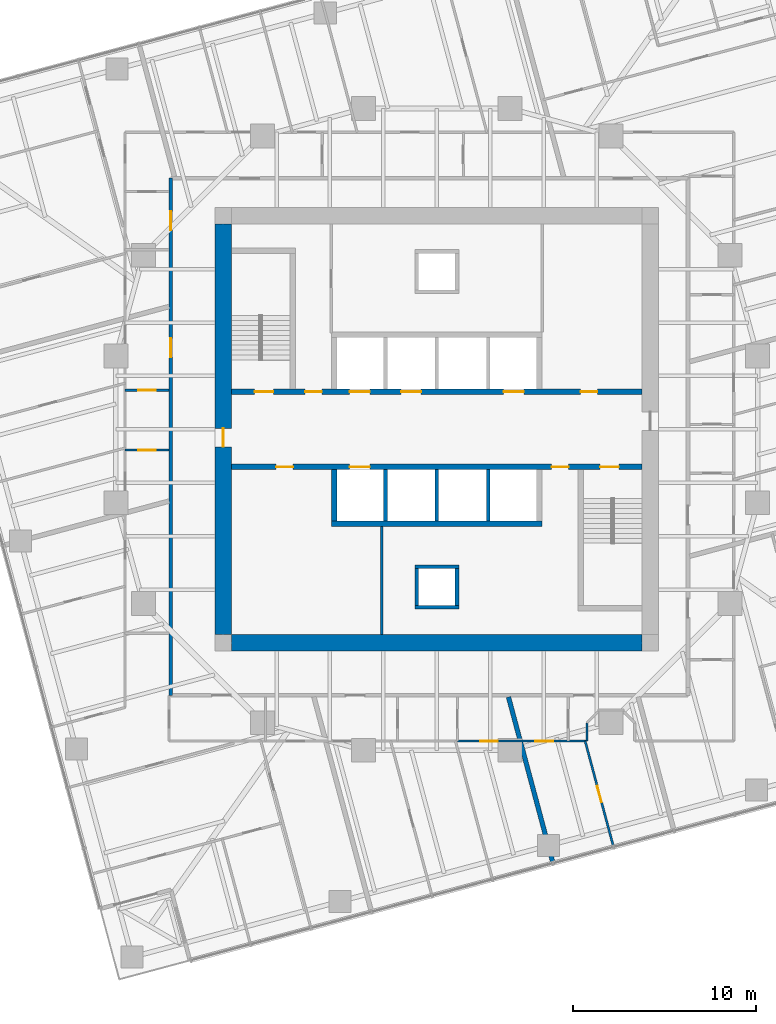
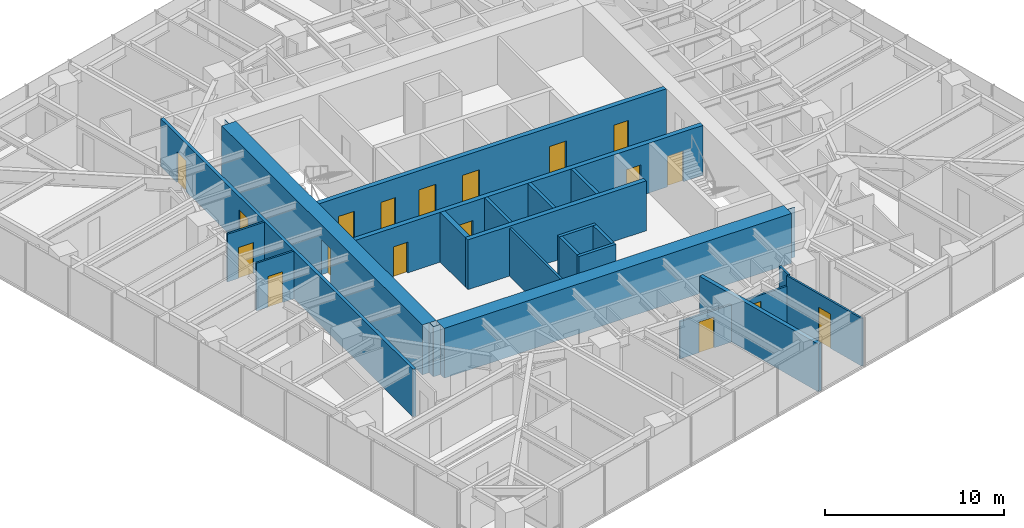
# One storey, part 9 of 14: 21 walls, 18 doors, 18 openings.
"""IFC4 building model written with IfcOpenShell, lengths in metres."""

from ifc_helpers import new_model, si_unit, direction, frame, frame_2d, origin, place, context, subcontext, project, spatial, polyline, rectangle, outline, extrude, material, layer, layer_set, type_object, element, fill, save


model = new_model("IFC4")

# Units and contexts
model_context = context("Model", 3, precision=1e-05, world=origin(), true_north=direction((0.0, 1.0)))
body_context = subcontext(model_context, "Body", "Model", "MODEL_VIEW")
ifc_project = project(units=[si_unit("LENGTHUNIT", "METRE"), si_unit("AREAUNIT", "SQUARE_METRE"), si_unit("VOLUMEUNIT", "CUBIC_METRE"), si_unit("PLANEANGLEUNIT", "RADIAN"), si_unit("MASSUNIT", "GRAM", prefix="KILO")], contexts=[model_context])

# Site, building, storey
site_placement = place(None, origin())
site = spatial("IfcSite", under=ifc_project, at=site_placement, CompositionType="ELEMENT")
building_placement = place(site_placement, origin())
building = spatial("IfcBuilding", under=site, at=building_placement, Name="Torsade Residences", CompositionType="ELEMENT")
storey_placement = place(building_placement, frame((0.0, 0.0, 121.800048828125)))
storey = spatial("IfcBuildingStorey", under=building, at=storey_placement, Name="L33", CompositionType="ELEMENT", Elevation=121.800048828125)

# Wall, openings, doors
ifc_material_1 = material(Name="Concrete 80 MPa", Category="concrete")
ifc_layer_1 = layer(ifc_material_1, 0.300048828125)
ifc_layer_set_1 = layer_set([ifc_layer_1], Name="Concrete 80 MPa")
wall_type_1 = type_object("IfcWallType", Name="CORE INTERNAL WALL 300", PredefinedType="SHEAR", material=ifc_layer_set_1)
wall_1_placement = place(storey_placement, frame((28.800048828125, 32.050048828125, 0.0), z_axis=(0.0, 0.0, 1.0), x_axis=(1.0, 0.0, 0.0)))
wall_1 = element("IfcWall", 1, at=wall_1_placement, inside=storey, type_object=wall_type_1, Name="Core wall LN L33", PredefinedType="SHEAR", context=body_context, shape_type="SweptSolid", body=[
    extrude(rectangle(XDim=22.39990234375, YDim=0.300048828125, at=frame_2d((11.199951171875, 0.0))), origin(), (0.0, 0.0, 1.0), 3.39990234375),
])
opening_1_placement = place(wall_1_placement, frame((19.0400390625, 0.0, 0.0)))
opening_1 = element("IfcOpeningElement", 2, at=opening_1_placement, cuts=wall_1, Name="Opening D06", PredefinedType="OPENING", context=body_context, shape_type="SweptSolid", body=[
    extrude(rectangle(XDim=0.919921875, YDim=2.10009765625, at=frame_2d((0.4599609375, 1.050048828125))), frame((0.0, 0.159912109375, 0.0), z_axis=(0.0, -1.0, 0.0), x_axis=(1.0, 0.0, 0.0)), (0.0, 0.0, 1.0), 0.320068359375),
])
opening_2_placement = place(wall_1_placement, frame((1.264892578125, 0.0, 0.0)))
opening_2 = element("IfcOpeningElement", 3, at=opening_2_placement, cuts=wall_1, Name="Opening D03", PredefinedType="OPENING", context=body_context, shape_type="SweptSolid", body=[
    extrude(rectangle(XDim=1.02001953125, YDim=2.10009765625, at=frame_2d((0.510009765625, 1.050048828125))), frame((0.0, 0.159912109375, 0.0), z_axis=(0.0, -1.0, 0.0), x_axis=(1.0, 0.0, 0.0)), (0.0, 0.0, 1.0), 0.320068359375),
])
opening_3_placement = place(wall_1_placement, frame((4.014892578125, 0.0, 0.0)))
opening_3 = element("IfcOpeningElement", 4, at=opening_3_placement, cuts=wall_1, Name="Opening D06", PredefinedType="OPENING", context=body_context, shape_type="SweptSolid", body=[
    extrude(rectangle(XDim=0.919921875, YDim=2.10009765625, at=frame_2d((0.4599609375, 1.050048828125))), frame((0.0, 0.159912109375, 0.0), z_axis=(0.0, -1.0, 0.0), x_axis=(1.0, 0.0, 0.0)), (0.0, 0.0, 1.0), 0.320068359375),
])
opening_4_placement = place(wall_1_placement, frame((6.449951171875, 0.0, 0.0)))
opening_4 = element("IfcOpeningElement", 5, at=opening_4_placement, cuts=wall_1, Name="Opening LD", PredefinedType="OPENING", context=body_context, shape_type="SweptSolid", body=[
    extrude(rectangle(XDim=1.10009765625, YDim=2.10009765625, at=frame_2d((0.550048828125, 1.050048828125))), frame((0.0, 0.159912109375, 0.0), z_axis=(0.0, -1.0, 0.0), x_axis=(1.0, 0.0, 0.0)), (0.0, 0.0, 1.0), 0.320068359375),
])
opening_5_placement = place(wall_1_placement, frame((9.25, 0.0, 0.0)))
opening_5 = element("IfcOpeningElement", 6, at=opening_5_placement, cuts=wall_1, Name="Opening LD", PredefinedType="OPENING", context=body_context, shape_type="SweptSolid", body=[
    extrude(rectangle(XDim=1.10009765625, YDim=2.10009765625, at=frame_2d((0.550048828125, 1.050048828125))), frame((0.0, 0.159912109375, 0.0), z_axis=(0.0, -1.0, 0.0), x_axis=(1.0, 0.0, 0.0)), (0.0, 0.0, 1.0), 0.320068359375),
])
opening_6_placement = place(wall_1_placement, frame((14.85009765625, 0.0, 0.0)))
opening_6 = element("IfcOpeningElement", 7, at=opening_6_placement, cuts=wall_1, Name="Opening LD", PredefinedType="OPENING", context=body_context, shape_type="SweptSolid", body=[
    extrude(rectangle(XDim=1.10009765625, YDim=2.10009765625, at=frame_2d((0.550048828125, 1.050048828125))), frame((0.0, 0.159912109375, 0.0), z_axis=(0.0, -1.0, 0.0), x_axis=(1.0, 0.0, 0.0)), (0.0, 0.0, 1.0), 0.320068359375),
])
ifc_material_2 = material(Name="Steel-framed fire door", Category="steel")
door_type_1 = type_object("IfcDoorType", Name="FIRE DOOR 1020", OperationType="NOTDEFINED", PredefinedType="DOOR", material=ifc_material_2)
door_1_placement = place(opening_2_placement, origin())
door_1 = element("IfcDoor", 8, at=door_1_placement, inside=storey, type_object=door_type_1, Name="Exit door to fire-isolated stair ST1 L33", OperationType="SINGLE_SWING_RIGHT", OverallHeight=2.10009765625, OverallWidth=1.02001953125, PredefinedType="DOOR", context=body_context, shape_type="SweptSolid", body=[
    extrude(rectangle(XDim=1.02001953125, YDim=2.10009765625, at=frame_2d((0.510009765625, 1.050048828125))), frame((0.0, 0.02490234375, 0.0), z_axis=(0.0, -1.0, 0.0), x_axis=(1.0, 0.0, 0.0)), (0.0, 0.0, 1.0), 0.050048828125),
])
fill(opening_2, door_1)
ifc_material_3 = material(Name="Steel-framed fire door", Category="steel")
door_type_2 = type_object("IfcDoorType", Name="FIRE DOOR 920", OperationType="NOTDEFINED", PredefinedType="DOOR", material=ifc_material_3)
door_2_placement = place(opening_1_placement, origin())
door_2 = element("IfcDoor", 9, at=door_2_placement, inside=storey, type_object=door_type_2, Name="Door Lift lobby to Refuse room", OperationType="SINGLE_SWING_LEFT", OverallHeight=2.10009765625, OverallWidth=0.919921875, PredefinedType="DOOR", context=body_context, shape_type="SweptSolid", body=[
    extrude(rectangle(XDim=0.919921875, YDim=2.10009765625, at=frame_2d((0.4599609375, 1.050048828125))), frame((0.0, 0.02490234375, 0.0), z_axis=(0.0, -1.0, 0.0), x_axis=(1.0, 0.0, 0.0)), (0.0, 0.0, 1.0), 0.050048828125),
])
fill(opening_1, door_2)
door_3_placement = place(opening_3_placement, origin())
door_3 = element("IfcDoor", 10, at=door_3_placement, inside=storey, type_object=door_type_2, Name="Door Lift lobby to Meter store", OperationType="SINGLE_SWING_LEFT", OverallHeight=2.10009765625, OverallWidth=0.919921875, PredefinedType="DOOR", context=body_context, shape_type="SweptSolid", body=[
    extrude(rectangle(XDim=0.919921875, YDim=2.10009765625, at=frame_2d((0.4599609375, 1.050048828125))), frame((0.0, 0.02490234375, 0.0), z_axis=(0.0, -1.0, 0.0), x_axis=(1.0, 0.0, 0.0)), (0.0, 0.0, 1.0), 0.050048828125),
])
fill(opening_3, door_3)
ifc_material_4 = material(Name="Stainless steel lift landing door", Category="steel")
door_type_3 = type_object("IfcDoorType", Name="LIFT LANDING DOOR 1100", OperationType="SLIDING_TO_LEFT", PredefinedType="DOOR", material=ifc_material_4)
door_4_placement = place(opening_4_placement, origin())
door_4 = element("IfcDoor", 11, at=door_4_placement, inside=storey, type_object=door_type_3, Name="Lift LA1 landing door L33", OperationType="SLIDING_TO_LEFT", OverallHeight=2.10009765625, OverallWidth=1.10009765625, PredefinedType="DOOR", context=body_context, shape_type="SweptSolid", body=[
    extrude(rectangle(XDim=1.10009765625, YDim=2.10009765625, at=frame_2d((0.550048828125, 1.050048828125))), frame((0.0, 0.02490234375, 0.0), z_axis=(0.0, -1.0, 0.0), x_axis=(1.0, 0.0, 0.0)), (0.0, 0.0, 1.0), 0.050048828125),
])
fill(opening_4, door_4)
door_5_placement = place(opening_5_placement, origin())
door_5 = element("IfcDoor", 12, at=door_5_placement, inside=storey, type_object=door_type_3, Name="Lift LA2 landing door L33", OperationType="SLIDING_TO_LEFT", OverallHeight=2.10009765625, OverallWidth=1.10009765625, PredefinedType="DOOR", context=body_context, shape_type="SweptSolid", body=[
    extrude(rectangle(XDim=1.10009765625, YDim=2.10009765625, at=frame_2d((0.550048828125, 1.050048828125))), frame((0.0, 0.02490234375, 0.0), z_axis=(0.0, -1.0, 0.0), x_axis=(1.0, 0.0, 0.0)), (0.0, 0.0, 1.0), 0.050048828125),
])
fill(opening_5, door_5)
door_6_placement = place(opening_6_placement, origin())
door_6 = element("IfcDoor", 13, at=door_6_placement, inside=storey, type_object=door_type_3, Name="Lift FL1 landing door L33", OperationType="SLIDING_TO_LEFT", OverallHeight=2.10009765625, OverallWidth=1.10009765625, PredefinedType="DOOR", context=body_context, shape_type="SweptSolid", body=[
    extrude(rectangle(XDim=1.10009765625, YDim=2.10009765625, at=frame_2d((0.550048828125, 1.050048828125))), frame((0.0, 0.02490234375, 0.0), z_axis=(0.0, -1.0, 0.0), x_axis=(1.0, 0.0, 0.0)), (0.0, 0.0, 1.0), 0.050048828125),
])
fill(opening_6, door_6)

wall_2_placement = place(storey_placement, frame((51.199951171875, 27.949951171875, 0.0), z_axis=(0.0, 0.0, 1.0), x_axis=(-1.0, 0.0, 0.0)))
wall_2 = element("IfcWall", 14, at=wall_2_placement, inside=storey, type_object=wall_type_1, Name="Core wall LS L33", PredefinedType="SHEAR", context=body_context, shape_type="SweptSolid", body=[
    extrude(rectangle(XDim=22.39990234375, YDim=0.300048828125, at=frame_2d((11.199951171875, 0.0))), origin(), (0.0, 0.0, 1.0), 3.39990234375),
])
opening_7_placement = place(wall_2_placement, frame((19.0400390625, 0.0, 0.0)))
opening_7 = element("IfcOpeningElement", 15, at=opening_7_placement, cuts=wall_2, Name="Opening D06", PredefinedType="OPENING", context=body_context, shape_type="SweptSolid", body=[
    extrude(rectangle(XDim=0.919921875, YDim=2.10009765625, at=frame_2d((0.4599609375, 1.050048828125))), frame((0.0, 0.159912109375, 0.0), z_axis=(0.0, -1.0, 0.0), x_axis=(1.0, 0.0, 0.0)), (0.0, 0.0, 1.0), 0.320068359375),
])
opening_8_placement = place(wall_2_placement, frame((1.264892578125, 0.0, 0.0)))
opening_8 = element("IfcOpeningElement", 16, at=opening_8_placement, cuts=wall_2, Name="Opening D03", PredefinedType="OPENING", context=body_context, shape_type="SweptSolid", body=[
    extrude(rectangle(XDim=1.02001953125, YDim=2.10009765625, at=frame_2d((0.510009765625, 1.050048828125))), frame((0.0, 0.159912109375, 0.0), z_axis=(0.0, -1.0, 0.0), x_axis=(1.0, 0.0, 0.0)), (0.0, 0.0, 1.0), 0.320068359375),
])
opening_9_placement = place(wall_2_placement, frame((4.014892578125, 0.0, 0.0)))
opening_9 = element("IfcOpeningElement", 17, at=opening_9_placement, cuts=wall_2, Name="Opening D06", PredefinedType="OPENING", context=body_context, shape_type="SweptSolid", body=[
    extrude(rectangle(XDim=0.919921875, YDim=2.10009765625, at=frame_2d((0.4599609375, 1.050048828125))), frame((0.0, 0.159912109375, 0.0), z_axis=(0.0, -1.0, 0.0), x_axis=(1.0, 0.0, 0.0)), (0.0, 0.0, 1.0), 0.320068359375),
])
opening_10_placement = place(wall_2_placement, frame((14.85009765625, 0.0, 0.0)))
opening_10 = element("IfcOpeningElement", 18, at=opening_10_placement, cuts=wall_2, Name="Opening LD", PredefinedType="OPENING", context=body_context, shape_type="SweptSolid", body=[
    extrude(rectangle(XDim=1.10009765625, YDim=2.10009765625, at=frame_2d((0.550048828125, 1.050048828125))), frame((0.0, 0.159912109375, 0.0), z_axis=(0.0, -1.0, 0.0), x_axis=(1.0, 0.0, 0.0)), (0.0, 0.0, 1.0), 0.320068359375),
])
door_7_placement = place(opening_8_placement, origin())
door_7 = element("IfcDoor", 19, at=door_7_placement, inside=storey, type_object=door_type_1, Name="Exit door to fire-isolated stair ST2 L33", OperationType="SINGLE_SWING_RIGHT", OverallHeight=2.10009765625, OverallWidth=1.02001953125, PredefinedType="DOOR", context=body_context, shape_type="SweptSolid", body=[
    extrude(rectangle(XDim=1.02001953125, YDim=2.10009765625, at=frame_2d((0.510009765625, 1.050048828125))), frame((0.0, 0.02490234375, 0.0), z_axis=(0.0, -1.0, 0.0), x_axis=(1.0, 0.0, 0.0)), (0.0, 0.0, 1.0), 0.050048828125),
])
fill(opening_8, door_7)
door_8_placement = place(opening_7_placement, origin())
door_8 = element("IfcDoor", 20, at=door_8_placement, inside=storey, type_object=door_type_2, Name="Door Lift lobby to Cleaner store", OperationType="SINGLE_SWING_LEFT", OverallHeight=2.10009765625, OverallWidth=0.919921875, PredefinedType="DOOR", context=body_context, shape_type="SweptSolid", body=[
    extrude(rectangle(XDim=0.919921875, YDim=2.10009765625, at=frame_2d((0.4599609375, 1.050048828125))), frame((0.0, 0.02490234375, 0.0), z_axis=(0.0, -1.0, 0.0), x_axis=(1.0, 0.0, 0.0)), (0.0, 0.0, 1.0), 0.050048828125),
])
fill(opening_7, door_8)
door_9_placement = place(opening_9_placement, origin())
door_9 = element("IfcDoor", 21, at=door_9_placement, inside=storey, type_object=door_type_2, Name="Door Lift lobby to Communications riser room", OperationType="SINGLE_SWING_RIGHT", OverallHeight=2.10009765625, OverallWidth=0.919921875, PredefinedType="DOOR", context=body_context, shape_type="SweptSolid", body=[
    extrude(rectangle(XDim=0.919921875, YDim=2.10009765625, at=frame_2d((0.4599609375, 1.050048828125))), frame((0.0, 0.02490234375, 0.0), z_axis=(0.0, -1.0, 0.0), x_axis=(1.0, 0.0, 0.0)), (0.0, 0.0, 1.0), 0.050048828125),
])
fill(opening_9, door_9)
door_10_placement = place(opening_10_placement, origin())
door_10 = element("IfcDoor", 22, at=door_10_placement, inside=storey, type_object=door_type_3, Name="Lift FL2 landing door L33", OperationType="SLIDING_TO_LEFT", OverallHeight=2.10009765625, OverallWidth=1.10009765625, PredefinedType="DOOR", context=body_context, shape_type="SweptSolid", body=[
    extrude(rectangle(XDim=1.10009765625, YDim=2.10009765625, at=frame_2d((0.550048828125, 1.050048828125))), frame((0.0, 0.02490234375, 0.0), z_axis=(0.0, -1.0, 0.0), x_axis=(1.0, 0.0, 0.0)), (0.0, 0.0, 1.0), 0.050048828125),
])
fill(opening_10, door_10)

# Walls
wall_3_placement = place(storey_placement, frame((45.75, 24.85009765625, 0.0), z_axis=(0.0, 0.0, 1.0), x_axis=(-1.0, 0.0, 0.0)))
element("IfcWall", 23, at=wall_3_placement, inside=storey, type_object=wall_type_1, Name="Core wall BS L33", PredefinedType="SHEAR", context=body_context, shape_type="SweptSolid", body=[
    extrude(rectangle(XDim=11.5, YDim=0.300048828125, at=frame_2d((5.75, 0.0))), origin(), (0.0, 0.0, 1.0), 3.39990234375),
])
wall_4_placement = place(storey_placement, frame((34.39990234375, 27.800048828125, 0.0), z_axis=(0.0, 0.0, 1.0), x_axis=(0.0, -1.0, 0.0)))
element("IfcWall", 24, at=wall_4_placement, inside=storey, type_object=wall_type_1, Name="Core wall DS4 L33", PredefinedType="SHEAR", context=body_context, shape_type="SweptSolid", body=[
    extrude(rectangle(XDim=2.800048828125, YDim=0.300048828125, at=frame_2d((1.39990234375, 0.0))), origin(), (0.0, 0.0, 1.0), 3.39990234375),
])
ifc_material_5 = material(Name="Concrete 80 MPa", Category="concrete")
ifc_layer_2 = layer(ifc_material_5, 0.89990234375)
ifc_layer_set_2 = layer_set([ifc_layer_2], Name="Concrete 80 MPa")
wall_type_2 = type_object("IfcWallType", Name="CORE WALL 900", PredefinedType="SHEAR", material=ifc_layer_set_2)
wall_5_placement = place(storey_placement, frame((51.199951171875, 18.35009765625, 0.0), z_axis=(0.0, 0.0, 1.0), x_axis=(-1.0, 0.0, 0.0)))
element("IfcWall", 25, at=wall_5_placement, inside=storey, type_object=wall_type_2, Name="Core wall S L33", PredefinedType="SHEAR", context=body_context, shape_type="SweptSolid", body=[
    extrude(outline(polyline([(0.0, -0.449951171875), (22.39990234375, -0.449951171875), (22.39990234375, -0.02490234375), (22.849853515625, -0.02490234375), (22.849853515625, 0.02490234375), (22.39990234375, 0.02490234375), (22.39990234375, 0.449951171875), (0.0, 0.449951171875), (0.0, 0.02490234375), (-0.449951171875, 0.02490234375), (-0.449951171875, -0.02490234375), (0.0, -0.02490234375), (0.0, -0.449951171875)])), origin(), (0.0, 0.0, 1.0), 3.39990234375),
])

# Wall, opening, door
wall_6_placement = place(storey_placement, frame((28.35009765625, 41.199951171875, 0.0), z_axis=(0.0, 0.0, 1.0), x_axis=(0.0, -1.0, 0.0)))
wall_6 = element("IfcWall", 26, at=wall_6_placement, inside=storey, type_object=wall_type_2, Name="Core wall W L33", PredefinedType="SHEAR", context=body_context, shape_type="SweptSolid", body=[
    extrude(outline(polyline([(0.0, -0.449951171875), (22.39990234375, -0.449951171875), (22.39990234375, -0.02490234375), (22.849853515625, -0.02490234375), (22.849853515625, 0.02490234375), (22.39990234375, 0.02490234375), (22.39990234375, 0.449951171875), (0.0, 0.449951171875), (0.0, 0.02490234375), (-0.449951171875, 0.02490234375), (-0.449951171875, -0.02490234375), (0.0, -0.02490234375), (0.0, -0.449951171875)])), origin(), (0.0, 0.0, 1.0), 3.39990234375),
])
opening_11_placement = place(wall_6_placement, frame((11.139892578125, 0.0, 0.0)))
opening_11 = element("IfcOpeningElement", 27, at=opening_11_placement, cuts=wall_6, Name="Opening D04", PredefinedType="OPENING", context=body_context, shape_type="SweptSolid", body=[
    extrude(rectangle(XDim=1.02001953125, YDim=2.39990234375, at=frame_2d((0.510009765625, 1.199951171875))), frame((0.0, 0.4599609375, 0.0), z_axis=(0.0, -1.0, 0.0), x_axis=(1.0, 0.0, 0.0)), (0.0, 0.0, 1.0), 0.919921875),
])
ifc_material_6 = material(Name="Steel-framed fire door", Category="steel")
door_type_4 = type_object("IfcDoorType", Name="LOBBY SMOKE DOOR 1020x2400", OperationType="NOTDEFINED", PredefinedType="DOOR", material=ifc_material_6)
door_11_placement = place(opening_11_placement, origin())
door_11 = element("IfcDoor", 28, at=door_11_placement, inside=storey, type_object=door_type_4, Name="Lift lobby door W L33", OperationType="SINGLE_SWING_RIGHT", OverallHeight=2.39990234375, OverallWidth=1.02001953125, PredefinedType="DOOR", context=body_context, shape_type="SweptSolid", body=[
    extrude(rectangle(XDim=1.02001953125, YDim=2.39990234375, at=frame_2d((0.510009765625, 1.199951171875))), frame((0.0, 0.02490234375, 0.0), z_axis=(0.0, -1.0, 0.0), x_axis=(1.0, 0.0, 0.0)), (0.0, 0.0, 1.0), 0.050048828125),
])
fill(opening_11, door_11)

# Wall, openings, doors
ifc_material_7 = material(Name="Plasterboard on steel stud", Category="steel")
ifc_layer_3 = layer(ifc_material_7, 0.199951171875)
ifc_layer_set_3 = layer_set([ifc_layer_3], Name="Plasterboard on steel stud")
wall_type_3 = type_object("IfcWallType", Name="CORRIDOR WALL 200", PredefinedType="PARTITIONING", material=ifc_layer_set_3)
wall_7_placement = place(storey_placement, frame((25.5, 43.699951171875, 0.0), z_axis=(0.0, 0.0, 1.0), x_axis=(0.0, -1.0, 0.0)))
wall_7 = element("IfcWall", 29, at=wall_7_placement, inside=storey, type_object=wall_type_3, Name="Corridor wall L33", PredefinedType="PARTITIONING", context=body_context, shape_type="SweptSolid", body=[
    extrude(rectangle(XDim=28.199951171875, YDim=0.199951171875, at=frame_2d((14.10009765625, 0.0))), origin(), (0.0, 0.0, 1.0), 3.25),
])
opening_12_placement = place(wall_7_placement, frame((8.7421875, 0.0, 0.0)))
opening_12 = element("IfcOpeningElement", 30, at=opening_12_placement, cuts=wall_7, Name="Opening D01", PredefinedType="OPENING", context=body_context, shape_type="SweptSolid", body=[
    extrude(rectangle(XDim=1.02001953125, YDim=2.340087890625, at=frame_2d((0.510009765625, 1.169921875))), frame((0.0, 0.10986328125, 0.0), z_axis=(0.0, -1.0, 0.0), x_axis=(1.0, 0.0, 0.0)), (0.0, 0.0, 1.0), 0.219970703125),
])
opening_13_placement = place(wall_7_placement, frame((1.808349609375, 0.0, 0.0)))
opening_13 = element("IfcOpeningElement", 31, at=opening_13_placement, cuts=wall_7, Name="Opening D01L", PredefinedType="OPENING", context=body_context, shape_type="SweptSolid", body=[
    extrude(rectangle(XDim=1.02001953125, YDim=2.10009765625, at=frame_2d((0.510009765625, 1.050048828125))), frame((0.0, 0.10986328125, 0.0), z_axis=(0.0, -1.0, 0.0), x_axis=(1.0, 0.0, 0.0)), (0.0, 0.0, 1.0), 0.219970703125),
])
ifc_material_8 = material(Name="Solid-core timber fire door", Category="wood")
door_type_5 = type_object("IfcDoorType", Name="APARTMENT ENTRY DOOR 1020x2100", OperationType="NOTDEFINED", PredefinedType="DOOR", material=ifc_material_8)
door_12_placement = place(opening_13_placement, origin())
door_12 = element("IfcDoor", 32, at=door_12_placement, inside=storey, type_object=door_type_5, Name="Door Residential corridor to Kitchen and dining", OperationType="SINGLE_SWING_LEFT", OverallHeight=2.10009765625, OverallWidth=1.02001953125, PredefinedType="DOOR", context=body_context, shape_type="SweptSolid", body=[
    extrude(rectangle(XDim=1.02001953125, YDim=2.10009765625, at=frame_2d((0.510009765625, 1.050048828125))), frame((0.0, 0.02490234375, 0.0), z_axis=(0.0, -1.0, 0.0), x_axis=(1.0, 0.0, 0.0)), (0.0, 0.0, 1.0), 0.050048828125),
])
fill(opening_13, door_12)
ifc_material_9 = material(Name="Solid-core timber fire door", Category="wood")
door_type_6 = type_object("IfcDoorType", Name="APARTMENT ENTRY DOOR 1020x2340", OperationType="NOTDEFINED", PredefinedType="DOOR", material=ifc_material_9)
door_13_placement = place(opening_12_placement, origin())
door_13 = element("IfcDoor", 33, at=door_13_placement, inside=storey, type_object=door_type_6, Name="Door Residential corridor to Kitchen and dining", OperationType="SINGLE_SWING_RIGHT", OverallHeight=2.340087890625, OverallWidth=1.02001953125, PredefinedType="DOOR", context=body_context, shape_type="SweptSolid", body=[
    extrude(rectangle(XDim=1.02001953125, YDim=2.340087890625, at=frame_2d((0.510009765625, 1.169921875))), frame((0.0, 0.02490234375, 0.0), z_axis=(0.0, -1.0, 0.0), x_axis=(1.0, 0.0, 0.0)), (0.0, 0.0, 1.0), 0.050048828125),
])
fill(opening_12, door_13)

# Walls
ifc_material_10 = material(Name="Reinforced blockwork", Category="masonry")
ifc_layer_4 = layer(ifc_material_10, 0.199951171875)
ifc_layer_set_4 = layer_set([ifc_layer_4], Name="Reinforced blockwork")
wall_type_4 = type_object("IfcWallType", Name="LIFT SHAFT DIVIDING WALL 200", PredefinedType="SOLIDWALL", material=ifc_layer_set_4)
for number, where, z_axis, x_axis, name in (
    (34, (42.800048828125, 27.800048828125, 0.0), (0.0, 0.0, 1.0), (0.0, -1.0, 0.0), "Core wall DS1 L33"),
    (35, (40.0, 27.800048828125, 0.0), (0.0, 0.0, 1.0), (0.0, -1.0, 0.0), "Core wall DS2 L33"),
    (36, (37.199951171875, 27.800048828125, 0.0), (0.0, 0.0, 1.0), (0.0, -1.0, 0.0), "Core wall DS3 L33"),
):
    element("IfcWall", number, at=place(storey_placement, frame(where, z_axis=z_axis, x_axis=x_axis)), inside=storey, type_object=wall_type_4, Name=name, PredefinedType="SOLIDWALL", context=body_context, shape_type="SweptSolid", body=[
        extrude(rectangle(XDim=2.800048828125, YDim=0.199951171875, at=frame_2d((1.39990234375, 0.0))), origin(), (0.0, 0.0, 1.0), 3.39990234375),
    ])

# Wall, openings, doors
ifc_material_11 = material(Name="Plasterboard on steel stud", Category="steel")
ifc_layer_5 = layer(ifc_material_11, 0.1201171875)
ifc_layer_set_5 = layer_set([ifc_layer_5], Name="Plasterboard on steel stud")
wall_type_5 = type_object("IfcWallType", Name="PARTITION 120", PredefinedType="PARTITIONING", material=ifc_layer_set_5)
wall_8_placement = place(storey_placement, frame((48.14404296875, 13.0, 0.0), z_axis=(0.0, 0.0, 1.0), x_axis=(-1.0, 0.0, 0.0)))
wall_8 = element("IfcWall", 37, at=wall_8_placement, inside=storey, type_object=wall_type_5, Name="Partition L33", PredefinedType="PARTITIONING", context=body_context, shape_type="SweptSolid", body=[
    extrude(rectangle(XDim=7.01171875, YDim=0.1201171875, at=frame_2d((3.505859375, 0.0))), origin(), (0.0, 0.0, 1.0), 2.550048828125),
])
opening_14_placement = place(wall_8_placement, frame((1.802978515625, 0.0, 0.0)))
opening_14 = element("IfcOpeningElement", 38, at=opening_14_placement, cuts=wall_8, Name="Opening D05", PredefinedType="OPENING", context=body_context, shape_type="SweptSolid", body=[
    extrude(rectangle(XDim=0.9599609375, YDim=2.10009765625, at=frame_2d((0.47998046875, 1.050048828125))), frame((0.0, 0.070068359375, 0.0), z_axis=(0.0, -1.0, 0.0), x_axis=(1.0, 0.0, 0.0)), (0.0, 0.0, 1.0), 0.14013671875),
])
opening_15_placement = place(wall_8_placement, frame((4.8203125, 0.0, 0.0)))
opening_15 = element("IfcOpeningElement", 39, at=opening_15_placement, cuts=wall_8, Name="Opening D05", PredefinedType="OPENING", context=body_context, shape_type="SweptSolid", body=[
    extrude(rectangle(XDim=0.9599609375, YDim=2.10009765625, at=frame_2d((0.47998046875, 1.050048828125))), frame((0.0, 0.070068359375, 0.0), z_axis=(0.0, -1.0, 0.0), x_axis=(1.0, 0.0, 0.0)), (0.0, 0.0, 1.0), 0.14013671875),
])
ifc_material_12 = material(Name="Hollow-core timber door in a steel cavity frame", Category="steel")
door_type_7 = type_object("IfcDoorType", Name="BATHROOM CAVITY SLIDING DOOR 960", OperationType="SLIDING_TO_LEFT", PredefinedType="DOOR", material=ifc_material_12)
door_14_placement = place(opening_14_placement, origin())
door_14 = element("IfcDoor", 40, at=door_14_placement, inside=storey, type_object=door_type_7, Name="Door Bathroom to Living room", OperationType="SLIDING_TO_LEFT", OverallHeight=2.10009765625, OverallWidth=0.9599609375, PredefinedType="DOOR", context=body_context, shape_type="SweptSolid", body=[
    extrude(rectangle(XDim=0.9599609375, YDim=2.10009765625, at=frame_2d((0.47998046875, 1.050048828125))), frame((0.0, 0.02490234375, 0.0), z_axis=(0.0, -1.0, 0.0), x_axis=(1.0, 0.0, 0.0)), (0.0, 0.0, 1.0), 0.050048828125),
])
fill(opening_14, door_14)
door_15_placement = place(opening_15_placement, origin())
door_15 = element("IfcDoor", 41, at=door_15_placement, inside=storey, type_object=door_type_7, Name="Door Ensuite to Bedroom 2", OperationType="SLIDING_TO_LEFT", OverallHeight=2.10009765625, OverallWidth=0.9599609375, PredefinedType="DOOR", context=body_context, shape_type="SweptSolid", body=[
    extrude(rectangle(XDim=0.9599609375, YDim=2.10009765625, at=frame_2d((0.47998046875, 1.050048828125))), frame((0.0, 0.02490234375, 0.0), z_axis=(0.0, -1.0, 0.0), x_axis=(1.0, 0.0, 0.0)), (0.0, 0.0, 1.0), 0.050048828125),
])
fill(opening_15, door_15)

# Wall
wall_9_placement = place(storey_placement, frame((48.199951171875, 14.0, 0.0), z_axis=(0.0, 0.0, 1.0), x_axis=(0.0, -1.0, 0.0)))
element("IfcWall", 42, at=wall_9_placement, inside=storey, type_object=wall_type_5, Name="Partition L33", PredefinedType="PARTITIONING", context=body_context, shape_type="SweptSolid", body=[
    extrude(rectangle(XDim=1.0, YDim=0.1201171875, at=frame_2d((0.5, 0.0))), origin(), (0.0, 0.0, 1.0), 3.25),
])

# Wall, opening, door
wall_10_placement = place(storey_placement, frame((48.09228515625, 13.0, 0.0), z_axis=(0.0, 0.0, 1.0), x_axis=(0.258812722515, -0.965927520399, 0.0)))
wall_10 = element("IfcWall", 43, at=wall_10_placement, inside=storey, type_object=wall_type_5, Name="Partition L33", PredefinedType="PARTITIONING", context=body_context, shape_type="SweptSolid", body=[
    extrude(rectangle(XDim=5.94482421875, YDim=0.1201171875, at=frame_2d((2.972412109375, 0.0))), origin(), (0.0, 0.0, 1.0), 3.25),
])
opening_16_placement = place(wall_10_placement, frame((2.532470703125, 0.0, 0.0)))
opening_16 = element("IfcOpeningElement", 44, at=opening_16_placement, cuts=wall_10, Name="Opening D02", PredefinedType="OPENING", context=body_context, shape_type="SweptSolid", body=[
    extrude(rectangle(XDim=0.919921875, YDim=2.340087890625, at=frame_2d((0.4599609375, 1.169921875))), frame((0.0, 0.070068359375, 0.0), z_axis=(0.0, -1.0, 0.0), x_axis=(1.0, 0.0, 0.0)), (0.0, 0.0, 1.0), 0.14013671875),
])
ifc_material_13 = material(Name="Hollow-core timber door", Category="wood")
door_type_8 = type_object("IfcDoorType", Name="INTERNAL DOOR 920x2340", OperationType="NOTDEFINED", PredefinedType="DOOR", material=ifc_material_13)
door_16_placement = place(opening_16_placement, origin())
door_16 = element("IfcDoor", 45, at=door_16_placement, inside=storey, type_object=door_type_8, Name="Door Living room to Bedroom 1", OperationType="SINGLE_SWING_LEFT", OverallHeight=2.340087890625, OverallWidth=0.919921875, PredefinedType="DOOR", context=body_context, shape_type="SweptSolid", body=[
    extrude(rectangle(XDim=0.919921875, YDim=2.340087890625, at=frame_2d((0.4599609375, 1.169921875))), frame((0.0, 0.02490234375, 0.0), z_axis=(0.0, -1.0, 0.0), x_axis=(1.0, 0.0, 0.0)), (0.0, 0.0, 1.0), 0.050048828125),
])
fill(opening_16, door_16)

wall_11_placement = place(storey_placement, frame((25.39990234375, 32.1337890625, 0.0), z_axis=(0.0, 0.0, 1.0), x_axis=(-1.0, 0.0, 0.0)))
wall_11 = element("IfcWall", 46, at=wall_11_placement, inside=storey, type_object=wall_type_5, Name="Partition L33", PredefinedType="PARTITIONING", context=body_context, shape_type="SweptSolid", body=[
    extrude(rectangle(XDim=2.39990234375, YDim=0.1201171875, at=frame_2d((1.199951171875, 0.0))), origin(), (0.0, 0.0, 1.0), 3.25),
])
opening_17_placement = place(wall_11_placement, frame((0.719970703125, 0.0, 0.0)))
opening_17 = element("IfcOpeningElement", 47, at=opening_17_placement, cuts=wall_11, Name="Opening D05", PredefinedType="OPENING", context=body_context, shape_type="SweptSolid", body=[
    extrude(rectangle(XDim=0.9599609375, YDim=2.10009765625, at=frame_2d((0.47998046875, 1.050048828125))), frame((0.0, 0.070068359375, 0.0), z_axis=(0.0, -1.0, 0.0), x_axis=(1.0, 0.0, 0.0)), (0.0, 0.0, 1.0), 0.14013671875),
])
door_17_placement = place(opening_17_placement, origin())
door_17 = element("IfcDoor", 48, at=door_17_placement, inside=storey, type_object=door_type_7, Name="Door Kitchen and dining to Bathroom", OperationType="SLIDING_TO_LEFT", OverallHeight=2.10009765625, OverallWidth=0.9599609375, PredefinedType="DOOR", context=body_context, shape_type="SweptSolid", body=[
    extrude(rectangle(XDim=0.9599609375, YDim=2.10009765625, at=frame_2d((0.47998046875, 1.050048828125))), frame((0.0, 0.02490234375, 0.0), z_axis=(0.0, -1.0, 0.0), x_axis=(1.0, 0.0, 0.0)), (0.0, 0.0, 1.0), 0.050048828125),
])
fill(opening_17, door_17)

wall_12_placement = place(storey_placement, frame((25.39990234375, 28.86767578125, 0.0), z_axis=(0.0, 0.0, 1.0), x_axis=(-1.0, 0.0, 0.0)))
wall_12 = element("IfcWall", 49, at=wall_12_placement, inside=storey, type_object=wall_type_5, Name="Partition L33", PredefinedType="PARTITIONING", context=body_context, shape_type="SweptSolid", body=[
    extrude(rectangle(XDim=2.39990234375, YDim=0.1201171875, at=frame_2d((1.199951171875, 0.0))), origin(), (0.0, 0.0, 1.0), 3.25),
])
opening_18_placement = place(wall_12_placement, frame((0.719970703125, 0.0, 0.0)))
opening_18 = element("IfcOpeningElement", 50, at=opening_18_placement, cuts=wall_12, Name="Opening D05", PredefinedType="OPENING", context=body_context, shape_type="SweptSolid", body=[
    extrude(rectangle(XDim=0.9599609375, YDim=2.10009765625, at=frame_2d((0.47998046875, 1.050048828125))), frame((0.0, 0.070068359375, 0.0), z_axis=(0.0, -1.0, 0.0), x_axis=(1.0, 0.0, 0.0)), (0.0, 0.0, 1.0), 0.14013671875),
])
door_18_placement = place(opening_18_placement, origin())
door_18 = element("IfcDoor", 51, at=door_18_placement, inside=storey, type_object=door_type_7, Name="Door Bathroom to Ensuite", OperationType="SLIDING_TO_LEFT", OverallHeight=2.10009765625, OverallWidth=0.9599609375, PredefinedType="DOOR", context=body_context, shape_type="SweptSolid", body=[
    extrude(rectangle(XDim=0.9599609375, YDim=2.10009765625, at=frame_2d((0.47998046875, 1.050048828125))), frame((0.0, 0.02490234375, 0.0), z_axis=(0.0, -1.0, 0.0), x_axis=(1.0, 0.0, 0.0)), (0.0, 0.0, 1.0), 0.050048828125),
])
fill(opening_18, door_18)

# Walls
ifc_material_14 = material(Name="Masonry-lined stud party wall", Category="masonry")
ifc_layer_6 = layer(ifc_material_14, 0.25)
ifc_layer_set_6 = layer_set([ifc_layer_6], Name="Masonry-lined stud party wall")
wall_type_6 = type_object("IfcWallType", Name="PARTY WALL 250", PredefinedType="PARTITIONING", material=ifc_layer_set_6)
wall_13_placement = place(storey_placement, frame((46.341064453125, 6.334716796875, 0.0), z_axis=(0.0, 0.0, 1.0), x_axis=(-0.258814481793, 0.965927049013, 0.0)))
element("IfcWall", 52, at=wall_13_placement, inside=storey, type_object=wall_type_6, Name="Party wall L33", PredefinedType="PARTITIONING", context=body_context, shape_type="SweptSolid", body=[
    extrude(rectangle(XDim=9.3916015625, YDim=0.25, at=frame_2d((4.69580078125, 0.0))), origin(), (0.0, 0.0, 1.0), 3.25),
])
ifc_material_15 = material(Name="Reinforced blockwork", Category="masonry")
ifc_layer_7 = layer(ifc_material_15, 0.199951171875)
ifc_layer_set_7 = layer_set([ifc_layer_7], Name="Reinforced blockwork")
wall_type_7 = type_object("IfcWallType", Name="RISER SHAFT WALL 200", PredefinedType="SOLIDWALL", material=ifc_layer_set_7)
for number, where, z_axis, x_axis, name in (
    (53, (38.89990234375, 22.39990234375, 0.0), (0.0, 0.0, 1.0), (0.0, -1.0, 0.0), "Core wall RS2a L33"),
    (54, (41.10009765625, 22.39990234375, 0.0), (0.0, 0.0, 1.0), (0.0, -1.0, 0.0), "Core wall RS2b L33"),
):
    element("IfcWall", number, at=place(storey_placement, frame(where, z_axis=z_axis, x_axis=x_axis)), inside=storey, type_object=wall_type_7, Name=name, PredefinedType="SOLIDWALL", context=body_context, shape_type="SweptSolid", body=[
        extrude(rectangle(XDim=2.0, YDim=0.199951171875, at=frame_2d((1.0, 0.0))), origin(), (0.0, 0.0, 1.0), 3.39990234375),
    ])
for number, where, z_axis, x_axis, name in (
    (55, (38.800048828125, 22.5, 0.0), (0.0, 0.0, 1.0), (1.0, 0.0, 0.0), "Core wall RS2c L33"),
    (56, (38.800048828125, 20.300048828125, 0.0), (0.0, 0.0, 1.0), (1.0, 0.0, 0.0), "Core wall RS2d L33"),
):
    element("IfcWall", number, at=place(storey_placement, frame(where, z_axis=z_axis, x_axis=x_axis)), inside=storey, type_object=wall_type_7, Name=name, PredefinedType="SOLIDWALL", context=body_context, shape_type="SweptSolid", body=[
        extrude(rectangle(XDim=2.39990234375, YDim=0.199951171875, at=frame_2d((1.199951171875, 0.0))), origin(), (0.0, 0.0, 1.0), 3.39990234375),
    ])
ifc_material_16 = material(Name="Reinforced blockwork", Category="masonry")
ifc_layer_8 = layer(ifc_material_16, 0.14990234375)
ifc_layer_set_8 = layer_set([ifc_layer_8], Name="Reinforced blockwork")
wall_type_8 = type_object("IfcWallType", Name="SERVICE ROOM WALL 150", PredefinedType="SOLIDWALL", material=ifc_layer_set_8)
wall_14_placement = place(storey_placement, frame((37.0, 18.800048828125, 0.0), z_axis=(0.0, 0.0, 1.0), x_axis=(0.0, 1.0, 0.0)))
element("IfcWall", 57, at=wall_14_placement, inside=storey, type_object=wall_type_8, Name="Service room wall L33", PredefinedType="SOLIDWALL", context=body_context, shape_type="SweptSolid", body=[
    extrude(rectangle(XDim=5.89990234375, YDim=0.14990234375, at=frame_2d((2.949951171875, 0.0))), origin(), (0.0, 0.0, 1.0), 3.25),
])

save(model, "model.ifc")
